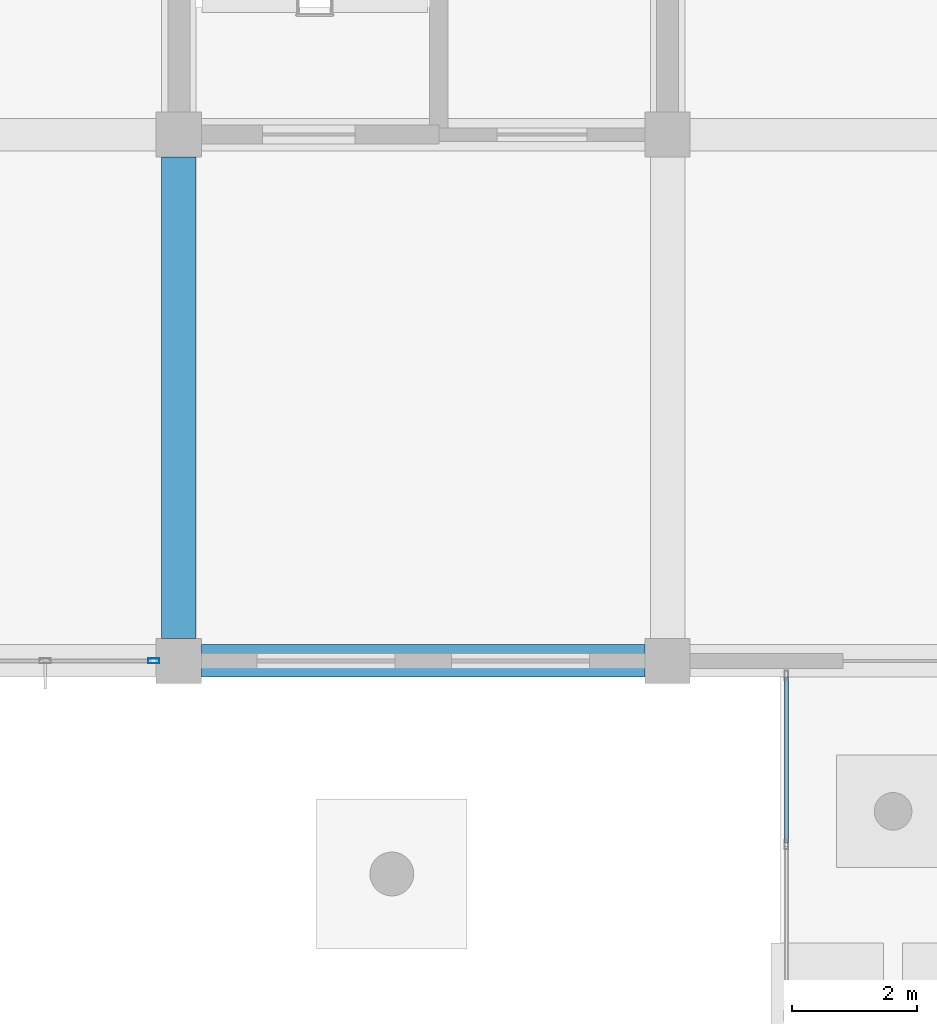
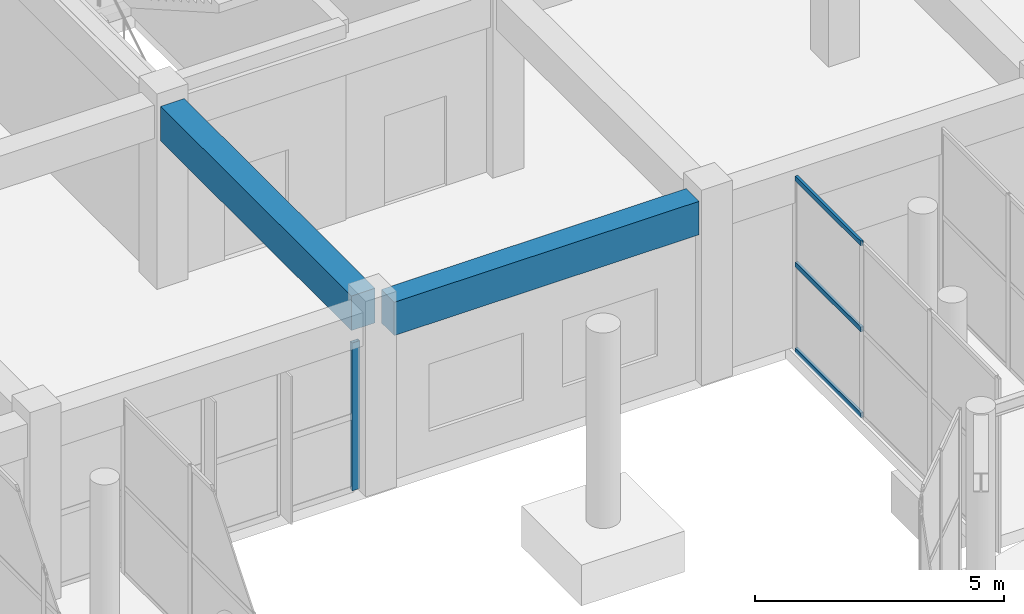
# One storey, part 65 of 139: 4 members, 2 beams, 2 elements without a shape of their own.
"""IFC4 building model written with IfcOpenShell, lengths in metres."""

from ifc_helpers import new_model, si_unit, direction, frame, origin, origin_2d, place, context, subcontext, project, spatial, rectangle, hollow_rectangle, extrude, material, layer, layer_set, material_profile, profile_set, type_object, element, aggregate, save


model = new_model("IFC4")

# Units and contexts
model_context = context("Model", 3, precision=1e-05, world=origin(), true_north=direction((0.0, 1.0)))
body_context = subcontext(model_context, "Body", "Model", "MODEL_VIEW")
ifc_project = project(units=[si_unit("LENGTHUNIT", "METRE"), si_unit("AREAUNIT", "SQUARE_METRE"), si_unit("VOLUMEUNIT", "CUBIC_METRE"), si_unit("PLANEANGLEUNIT", "RADIAN"), si_unit("MASSUNIT", "GRAM", prefix="KILO")], contexts=[model_context])

# Site, building, storey
site_placement = place(None, origin())
site = spatial("IfcSite", under=ifc_project, at=site_placement, CompositionType="ELEMENT")
building_placement = place(site_placement, origin())
building = spatial("IfcBuilding", under=site, at=building_placement, Name="Zizhar Promenade General Hospital", CompositionType="ELEMENT")
storey_placement = place(building_placement, origin())
storey = spatial("IfcBuildingStorey", under=building, at=storey_placement, Name="L00", CompositionType="ELEMENT", Elevation=0.0)

# Beams
ifc_material_1 = material(Name="Concrete C35/45", Category="concrete")
ifc_material_profile_1 = material_profile(ifc_material_1, rectangle(XDim=0.52001953125, YDim=0.820068359375, at=origin_2d()))
ifc_profile_set_1 = profile_set([ifc_material_profile_1], Name="Concrete C35/45")
beam_type_1 = type_object("IfcBeamType", Name="BM-RC-520x820", PredefinedType="BEAM", material=ifc_profile_set_1)
beam_1_placement = place(storey_placement, frame((171.9599609375, 42.0, 4.06005859375), z_axis=(1.0, 0.0, 0.0), x_axis=(0.0, 1.0, 0.0)))
element("IfcBeam", 1, at=beam_1_placement, inside=storey, type_object=beam_type_1, Name="Grid Beam X L00 (22-5)", PredefinedType="BEAM", context=body_context, shape_type="SweptSolid", body=[
    extrude(rectangle(XDim=0.52001953125, YDim=0.820068359375, at=origin_2d()), origin(), (0.0, 0.0, 1.0), 7.080078125),
])
ifc_material_2 = material(Name="Concrete C35/45", Category="concrete")
ifc_material_profile_2 = material_profile(ifc_material_2, rectangle(XDim=0.550048828125, YDim=0.85009765625, at=origin_2d()))
ifc_profile_set_2 = profile_set([ifc_material_profile_2], Name="Concrete C35/45")
beam_type_2 = type_object("IfcBeamType", Name="BM-RC-550x850", PredefinedType="BEAM", material=ifc_profile_set_2)
beam_2_placement = place(storey_placement, frame((171.60009765625, 42.360107421875, 4.044921875), z_axis=(0.0, 1.0, 0.0), x_axis=(-1.0, 0.0, 0.0)))
element("IfcBeam", 2, at=beam_2_placement, inside=storey, type_object=beam_type_2, Name="Grid Beam Y L00 (22-5)", PredefinedType="BEAM", context=body_context, shape_type="SweptSolid", body=[
    extrude(rectangle(XDim=0.550048828125, YDim=0.85009765625, at=origin_2d()), origin(), (0.0, 0.0, 1.0), 7.679931640625),
])

# Curtain wall, member
ifc_material_3 = material(Name="Anodised aluminium 6063-T6 and low-E glass", Category="aluminium")
ifc_layer_1 = layer(ifc_material_3, 0.159912109375)
ifc_layer_set_1 = layer_set([ifc_layer_1], Name="Anodised aluminium 6063-T6 and low-E glass")
curtain_wall_type_1 = type_object("IfcCurtainWallType", Name="CW-CLN-EXT", PredefinedType="NOTDEFINED", material=ifc_layer_set_1)
curtain_wall_1_placement = place(storey_placement, origin())
curtain_wall_1 = element("IfcCurtainWall", 3, at=curtain_wall_1_placement, inside=storey, type_object=curtain_wall_type_1, Name="Outpatient Forecourt Curtain Wall L00-21", PredefinedType="NOTDEFINED")
ifc_material_4 = material(Name="Anodised aluminium 6063-T6", Category="aluminium")
ifc_material_profile_3 = material_profile(ifc_material_4, hollow_rectangle(XDim=0.080078125, YDim=0.179931640625, WallThickness=0.0048828125, at=origin_2d()))
ifc_profile_set_3 = profile_set([ifc_material_profile_3], Name="Anodised aluminium 6063-T6")
member_type_1 = type_object("IfcMemberType", Name="CWM-ALU-180x80", PredefinedType="MULLION", material=ifc_profile_set_3)
member_1_placement = place(storey_placement, frame((171.199951171875, 42.0, 0.0), z_axis=(0.0, 0.0, 1.0), x_axis=(0.0, -1.0, 0.0)))
member_1 = element("IfcMember", 4, at=member_1_placement, type_object=member_type_1, Name="CW-09 mullion 1", PredefinedType="MULLION", context=body_context, shape_type="SweptSolid", body=[
    extrude(hollow_rectangle(XDim=0.080078125, YDim=0.179931640625, WallThickness=0.0048828125, at=origin_2d()), origin(), (0.0, 0.0, 1.0), 3.6298828125),
])
aggregate(curtain_wall_1, [member_1])

# Curtain wall, members
ifc_material_5 = material(Name="Anodised aluminium 6063-T6 and low-E glass", Category="aluminium")
ifc_layer_2 = layer(ifc_material_5, 0.159912109375)
ifc_layer_set_2 = layer_set([ifc_layer_2], Name="Anodised aluminium 6063-T6 and low-E glass")
curtain_wall_type_2 = type_object("IfcCurtainWallType", Name="CW-PAV-GLZ", PredefinedType="NOTDEFINED", material=ifc_layer_set_2)
curtain_wall_2_placement = place(storey_placement, origin())
curtain_wall_2 = element("IfcCurtainWall", 5, at=curtain_wall_2_placement, inside=storey, type_object=curtain_wall_type_2, Name="Community Health Information Pavilion Link West Glazing", PredefinedType="NOTDEFINED")
ifc_material_6 = material(Name="Anodised aluminium 6063-T6", Category="aluminium")
ifc_material_profile_4 = material_profile(ifc_material_6, hollow_rectangle(XDim=0.06005859375, YDim=0.1201171875, WallThickness=0.00390625, at=origin_2d()))
ifc_profile_set_4 = profile_set([ifc_material_profile_4], Name="Anodised aluminium 6063-T6")
member_type_2 = type_object("IfcMemberType", Name="CWT-ALU-120x60", PredefinedType="USERDEFINED", material=ifc_profile_set_4)
member_2_placement = place(storey_placement, frame((181.300048828125, 39.0966796875, 0.030029296875), z_axis=(0.0, 1.0, 0.0), x_axis=(-1.0, 0.0, 0.0)))
member_2 = element("IfcMember", 6, at=member_2_placement, type_object=member_type_2, Name="CW-14 transom 3.1", ObjectType="TRANSOM", PredefinedType="USERDEFINED", context=body_context, shape_type="SweptSolid", body=[
    extrude(hollow_rectangle(XDim=0.06005859375, YDim=0.1201171875, WallThickness=0.00390625, at=origin_2d()), origin(), (0.0, 0.0, 1.0), 2.643310546875),
])
member_3_placement = place(storey_placement, frame((181.300048828125, 39.0966796875, 2.139892578125), z_axis=(0.0, 1.0, 0.0), x_axis=(-1.0, 0.0, 0.0)))
member_3 = element("IfcMember", 7, at=member_3_placement, type_object=member_type_2, Name="CW-14 transom 3.2", ObjectType="TRANSOM", PredefinedType="USERDEFINED", context=body_context, shape_type="SweptSolid", body=[
    extrude(hollow_rectangle(XDim=0.06005859375, YDim=0.1201171875, WallThickness=0.00390625, at=origin_2d()), origin(), (0.0, 0.0, 1.0), 2.643310546875),
])
member_4_placement = place(storey_placement, frame((181.300048828125, 39.0966796875, 4.25), z_axis=(0.0, 1.0, 0.0), x_axis=(-1.0, 0.0, 0.0)))
member_4 = element("IfcMember", 8, at=member_4_placement, type_object=member_type_2, Name="CW-14 transom 3.3", ObjectType="TRANSOM", PredefinedType="USERDEFINED", context=body_context, shape_type="SweptSolid", body=[
    extrude(hollow_rectangle(XDim=0.06005859375, YDim=0.1201171875, WallThickness=0.00390625, at=origin_2d()), origin(), (0.0, 0.0, 1.0), 2.643310546875),
])
aggregate(curtain_wall_2, [member_2, member_3, member_4])

save(model, "model.ifc")
